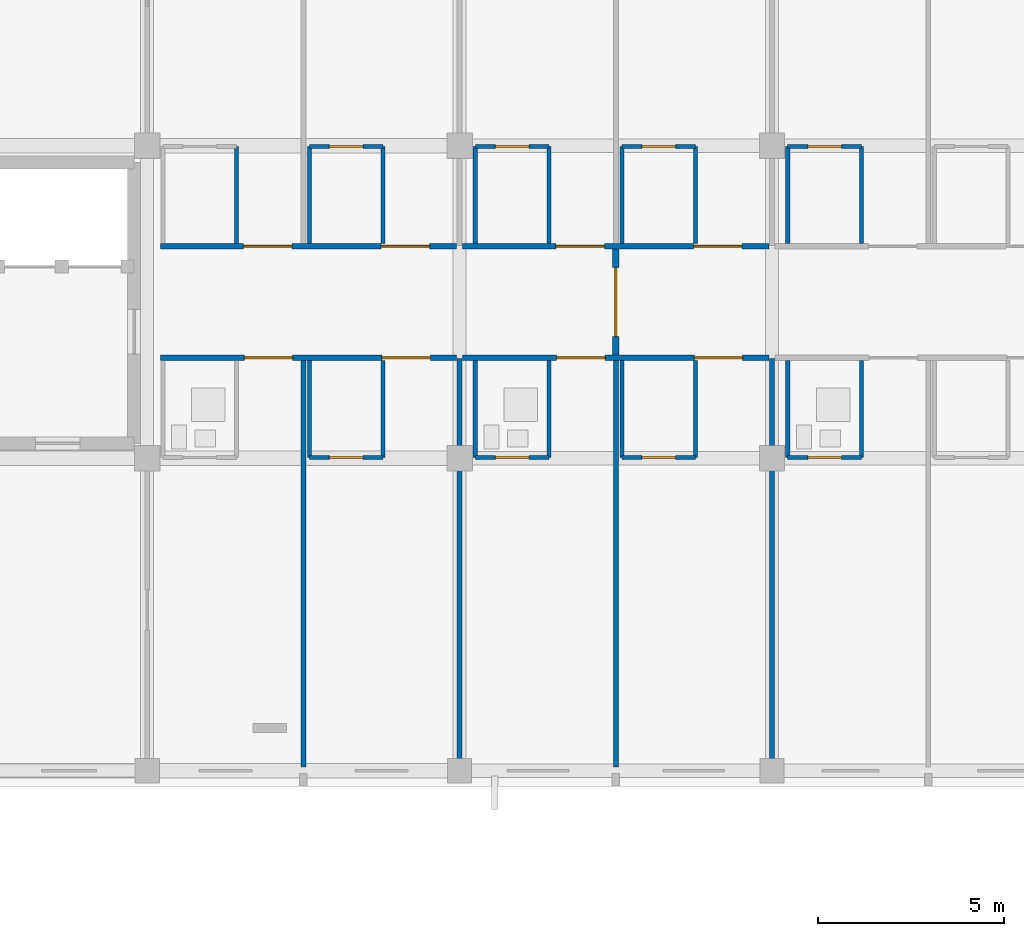
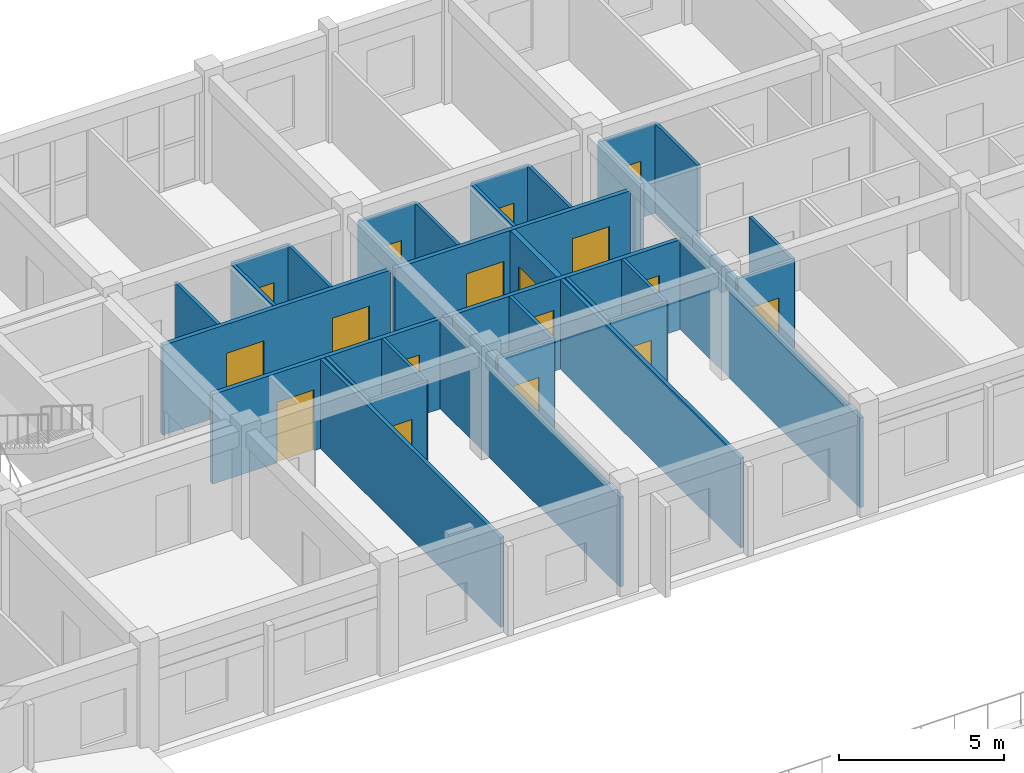
# One storey, part 74 of 90: 34 walls, 17 doors, 17 openings.
"""IFC4 building model written with IfcOpenShell, lengths in metres."""

from ifc_helpers import new_model, si_unit, direction, frame, frame_2d, origin, place, context, subcontext, project, spatial, rectangle, extrude, material, layer, layer_set, type_object, element, fill, save


model = new_model("IFC4")

# Units and contexts
model_context = context("Model", 3, precision=1e-05, world=origin(), true_north=direction((0.0, 1.0)))
body_context = subcontext(model_context, "Body", "Model", "MODEL_VIEW")
ifc_project = project(units=[si_unit("LENGTHUNIT", "METRE"), si_unit("AREAUNIT", "SQUARE_METRE"), si_unit("VOLUMEUNIT", "CUBIC_METRE"), si_unit("PLANEANGLEUNIT", "RADIAN"), si_unit("MASSUNIT", "GRAM", prefix="KILO")], contexts=[model_context])

# Site, building, storey
site_placement = place(None, origin())
site = spatial("IfcSite", under=ifc_project, at=site_placement, CompositionType="ELEMENT")
building_placement = place(site_placement, origin())
building = spatial("IfcBuilding", under=site, at=building_placement, Name="Trelvath General Hospital", CompositionType="ELEMENT")
storey_placement = place(building_placement, frame((0.0, 0.0, 20.39990234375)))
storey = spatial("IfcBuildingStorey", under=building, at=storey_placement, Name="L05", CompositionType="ELEMENT", Elevation=20.39990234375)

# Wall, openings, doors
ifc_material_1 = material(Name="Gypsum acoustic steel-stud partition", Category="steel")
ifc_layer_1 = layer(ifc_material_1, 0.14990234375)
ifc_layer_set_1 = layer_set([ifc_layer_1], Name="Gypsum acoustic steel-stud partition")
wall_type_1 = type_object("IfcWallType", Name="ClinicalPartition 150", PredefinedType="PARTITIONING", material=ifc_layer_set_1)
wall_1_placement = place(storey_placement, frame((92.760009765625, 103.5, 0.0), z_axis=(0.0, 0.0, 1.0), x_axis=(1.0, 0.0, 0.0)))
wall_1 = element("IfcWall", 1, at=wall_1_placement, inside=storey, type_object=wall_type_1, Name="Corridor Partition L05-1950", PredefinedType="PARTITIONING", context=body_context, shape_type="SweptSolid", body=[
    extrude(rectangle(XDim=7.9599609375, YDim=0.14990234375, at=frame_2d((3.97998046875, 0.0))), origin(), (0.0, 0.0, 1.0), 3.320068359375),
])
opening_1_placement = place(wall_1_placement, frame((2.25, 0.0, 0.0)))
opening_1 = element("IfcOpeningElement", 2, at=opening_1_placement, cuts=wall_1, Name="Opening D-5-1268", PredefinedType="OPENING", context=body_context, shape_type="SweptSolid", body=[
    extrude(rectangle(XDim=1.300048828125, YDim=2.25, at=frame_2d((0.64990234375, 1.125))), frame((0.0, 0.0849609375, 0.0), z_axis=(0.0, -1.0, 0.0), x_axis=(1.0, 0.0, 0.0)), (0.0, 0.0, 1.0), 0.169921875),
])
opening_2_placement = place(wall_1_placement, frame((5.949951171875, 0.0, 0.0)))
opening_2 = element("IfcOpeningElement", 3, at=opening_2_placement, cuts=wall_1, Name="Opening D-5-1269", PredefinedType="OPENING", context=body_context, shape_type="SweptSolid", body=[
    extrude(rectangle(XDim=1.300048828125, YDim=2.25, at=frame_2d((0.64990234375, 1.125))), frame((0.0, 0.0849609375, 0.0), z_axis=(0.0, -1.0, 0.0), x_axis=(1.0, 0.0, 0.0)), (0.0, 0.0, 1.0), 0.169921875),
])
ifc_material_2 = material(Name="Hospital bed-leaf timber door", Category="wood")
door_type_1 = type_object("IfcDoorType", Name="Door PatientBed 1300x2250", OperationType="NOTDEFINED", PredefinedType="DOOR", material=ifc_material_2)
door_1_placement = place(opening_1_placement, origin())
door_1 = element("IfcDoor", 4, at=door_1_placement, inside=storey, type_object=door_type_1, Name="Patient Room Door L05-1268", OperationType="SINGLE_SWING_RIGHT", OverallHeight=2.25, OverallWidth=1.300048828125, PredefinedType="DOOR", context=body_context, shape_type="SweptSolid", body=[
    extrude(rectangle(XDim=1.300048828125, YDim=2.25, at=frame_2d((0.64990234375, 1.125))), frame((0.0, 0.02490234375, 0.0), z_axis=(0.0, -1.0, 0.0), x_axis=(1.0, 0.0, 0.0)), (0.0, 0.0, 1.0), 0.050048828125),
])
fill(opening_1, door_1)
door_2_placement = place(opening_2_placement, origin())
door_2 = element("IfcDoor", 5, at=door_2_placement, inside=storey, type_object=door_type_1, Name="Patient Room Door L05-1269", OperationType="SINGLE_SWING_LEFT", OverallHeight=2.25, OverallWidth=1.300048828125, PredefinedType="DOOR", context=body_context, shape_type="SweptSolid", body=[
    extrude(rectangle(XDim=1.300048828125, YDim=2.25, at=frame_2d((0.64990234375, 1.125))), frame((0.0, 0.02490234375, 0.0), z_axis=(0.0, -1.0, 0.0), x_axis=(1.0, 0.0, 0.0)), (0.0, 0.0, 1.0), 0.050048828125),
])
fill(opening_2, door_2)

wall_2_placement = place(storey_placement, frame((100.719970703125, 106.5, 0.0), z_axis=(0.0, 0.0, 1.0), x_axis=(-1.0, 0.0, 0.0)))
wall_2 = element("IfcWall", 6, at=wall_2_placement, inside=storey, type_object=wall_type_1, Name="Corridor Partition N L05-1959", PredefinedType="PARTITIONING", context=body_context, shape_type="SweptSolid", body=[
    extrude(rectangle(XDim=7.9599609375, YDim=0.14990234375, at=frame_2d((3.97998046875, 0.0))), origin(), (0.0, 0.0, 1.0), 3.320068359375),
])
opening_3_placement = place(wall_2_placement, frame((0.72998046875, 0.0, 0.0)))
opening_3 = element("IfcOpeningElement", 7, at=opening_3_placement, cuts=wall_2, Name="Opening D-5-1272", PredefinedType="OPENING", context=body_context, shape_type="SweptSolid", body=[
    extrude(rectangle(XDim=1.300048828125, YDim=2.25, at=frame_2d((0.64990234375, 1.125))), frame((0.0, 0.0849609375, 0.0), z_axis=(0.0, -1.0, 0.0), x_axis=(1.0, 0.0, 0.0)), (0.0, 0.0, 1.0), 0.169921875),
])
opening_4_placement = place(wall_2_placement, frame((4.429931640625, 0.0, 0.0)))
opening_4 = element("IfcOpeningElement", 8, at=opening_4_placement, cuts=wall_2, Name="Opening D-5-1273", PredefinedType="OPENING", context=body_context, shape_type="SweptSolid", body=[
    extrude(rectangle(XDim=1.300048828125, YDim=2.25, at=frame_2d((0.64990234375, 1.125))), frame((0.0, 0.0849609375, 0.0), z_axis=(0.0, -1.0, 0.0), x_axis=(1.0, 0.0, 0.0)), (0.0, 0.0, 1.0), 0.169921875),
])
door_3_placement = place(opening_3_placement, origin())
door_3 = element("IfcDoor", 9, at=door_3_placement, inside=storey, type_object=door_type_1, Name="Patient Room Door N L05-1272", OperationType="SINGLE_SWING_RIGHT", OverallHeight=2.25, OverallWidth=1.300048828125, PredefinedType="DOOR", context=body_context, shape_type="SweptSolid", body=[
    extrude(rectangle(XDim=1.300048828125, YDim=2.25, at=frame_2d((0.64990234375, 1.125))), frame((0.0, 0.02490234375, 0.0), z_axis=(0.0, -1.0, 0.0), x_axis=(1.0, 0.0, 0.0)), (0.0, 0.0, 1.0), 0.050048828125),
])
fill(opening_3, door_3)
door_4_placement = place(opening_4_placement, origin())
door_4 = element("IfcDoor", 10, at=door_4_placement, inside=storey, type_object=door_type_1, Name="Patient Room Door N L05-1273", OperationType="SINGLE_SWING_RIGHT", OverallHeight=2.25, OverallWidth=1.300048828125, PredefinedType="DOOR", context=body_context, shape_type="SweptSolid", body=[
    extrude(rectangle(XDim=1.300048828125, YDim=2.25, at=frame_2d((0.64990234375, 1.125))), frame((0.0, 0.02490234375, 0.0), z_axis=(0.0, -1.0, 0.0), x_axis=(1.0, 0.0, 0.0)), (0.0, 0.0, 1.0), 0.050048828125),
])
fill(opening_4, door_4)

wall_3_placement = place(storey_placement, frame((100.8798828125, 103.5, 0.0), z_axis=(0.0, 0.0, 1.0), x_axis=(1.0, 0.0, 0.0)))
wall_3 = element("IfcWall", 11, at=wall_3_placement, inside=storey, type_object=wall_type_1, Name="Corridor Partition L05-1969", PredefinedType="PARTITIONING", context=body_context, shape_type="SweptSolid", body=[
    extrude(rectangle(XDim=8.240234375, YDim=0.14990234375, at=frame_2d((4.1201171875, 0.0))), origin(), (0.0, 0.0, 1.0), 3.320068359375),
])
opening_5_placement = place(wall_3_placement, frame((2.530029296875, 0.0, 0.0)))
opening_5 = element("IfcOpeningElement", 12, at=opening_5_placement, cuts=wall_3, Name="Opening D-5-1276", PredefinedType="OPENING", context=body_context, shape_type="SweptSolid", body=[
    extrude(rectangle(XDim=1.300048828125, YDim=2.25, at=frame_2d((0.64990234375, 1.125))), frame((0.0, 0.0849609375, 0.0), z_axis=(0.0, -1.0, 0.0), x_axis=(1.0, 0.0, 0.0)), (0.0, 0.0, 1.0), 0.169921875),
])
opening_6_placement = place(wall_3_placement, frame((6.22998046875, 0.0, 0.0)))
opening_6 = element("IfcOpeningElement", 13, at=opening_6_placement, cuts=wall_3, Name="Opening D-5-1277", PredefinedType="OPENING", context=body_context, shape_type="SweptSolid", body=[
    extrude(rectangle(XDim=1.300048828125, YDim=2.25, at=frame_2d((0.64990234375, 1.125))), frame((0.0, 0.0849609375, 0.0), z_axis=(0.0, -1.0, 0.0), x_axis=(1.0, 0.0, 0.0)), (0.0, 0.0, 1.0), 0.169921875),
])
door_5_placement = place(opening_5_placement, origin())
door_5 = element("IfcDoor", 14, at=door_5_placement, inside=storey, type_object=door_type_1, Name="Patient Room Door L05-1276", OperationType="SINGLE_SWING_LEFT", OverallHeight=2.25, OverallWidth=1.300048828125, PredefinedType="DOOR", context=body_context, shape_type="SweptSolid", body=[
    extrude(rectangle(XDim=1.300048828125, YDim=2.25, at=frame_2d((0.64990234375, 1.125))), frame((0.0, 0.02490234375, 0.0), z_axis=(0.0, -1.0, 0.0), x_axis=(1.0, 0.0, 0.0)), (0.0, 0.0, 1.0), 0.050048828125),
])
fill(opening_5, door_5)
door_6_placement = place(opening_6_placement, origin())
door_6 = element("IfcDoor", 15, at=door_6_placement, inside=storey, type_object=door_type_1, Name="Patient Room Door L05-1277", OperationType="SINGLE_SWING_RIGHT", OverallHeight=2.25, OverallWidth=1.300048828125, PredefinedType="DOOR", context=body_context, shape_type="SweptSolid", body=[
    extrude(rectangle(XDim=1.300048828125, YDim=2.25, at=frame_2d((0.64990234375, 1.125))), frame((0.0, 0.02490234375, 0.0), z_axis=(0.0, -1.0, 0.0), x_axis=(1.0, 0.0, 0.0)), (0.0, 0.0, 1.0), 0.050048828125),
])
fill(opening_6, door_6)

wall_4_placement = place(storey_placement, frame((109.1201171875, 106.5, 0.0), z_axis=(0.0, 0.0, 1.0), x_axis=(-1.0, 0.0, 0.0)))
wall_4 = element("IfcWall", 16, at=wall_4_placement, inside=storey, type_object=wall_type_1, Name="Corridor Partition N L05-1977", PredefinedType="PARTITIONING", context=body_context, shape_type="SweptSolid", body=[
    extrude(rectangle(XDim=8.240234375, YDim=0.14990234375, at=frame_2d((4.1201171875, 0.0))), origin(), (0.0, 0.0, 1.0), 3.320068359375),
])
opening_7_placement = place(wall_4_placement, frame((0.72998046875, 0.0, 0.0)))
opening_7 = element("IfcOpeningElement", 17, at=opening_7_placement, cuts=wall_4, Name="Opening D-5-1280", PredefinedType="OPENING", context=body_context, shape_type="SweptSolid", body=[
    extrude(rectangle(XDim=1.300048828125, YDim=2.25, at=frame_2d((0.64990234375, 1.125))), frame((0.0, 0.0849609375, 0.0), z_axis=(0.0, -1.0, 0.0), x_axis=(1.0, 0.0, 0.0)), (0.0, 0.0, 1.0), 0.169921875),
])
opening_8_placement = place(wall_4_placement, frame((4.429931640625, 0.0, 0.0)))
opening_8 = element("IfcOpeningElement", 18, at=opening_8_placement, cuts=wall_4, Name="Opening D-5-1281", PredefinedType="OPENING", context=body_context, shape_type="SweptSolid", body=[
    extrude(rectangle(XDim=1.300048828125, YDim=2.25, at=frame_2d((0.64990234375, 1.125))), frame((0.0, 0.0849609375, 0.0), z_axis=(0.0, -1.0, 0.0), x_axis=(1.0, 0.0, 0.0)), (0.0, 0.0, 1.0), 0.169921875),
])
door_7_placement = place(opening_7_placement, origin())
door_7 = element("IfcDoor", 19, at=door_7_placement, inside=storey, type_object=door_type_1, Name="Patient Room Door N L05-1280", OperationType="SINGLE_SWING_LEFT", OverallHeight=2.25, OverallWidth=1.300048828125, PredefinedType="DOOR", context=body_context, shape_type="SweptSolid", body=[
    extrude(rectangle(XDim=1.300048828125, YDim=2.25, at=frame_2d((0.64990234375, 1.125))), frame((0.0, 0.02490234375, 0.0), z_axis=(0.0, -1.0, 0.0), x_axis=(1.0, 0.0, 0.0)), (0.0, 0.0, 1.0), 0.050048828125),
])
fill(opening_7, door_7)
door_8_placement = place(opening_8_placement, origin())
door_8 = element("IfcDoor", 20, at=door_8_placement, inside=storey, type_object=door_type_1, Name="Patient Room Door N L05-1281", OperationType="SINGLE_SWING_LEFT", OverallHeight=2.25, OverallWidth=1.300048828125, PredefinedType="DOOR", context=body_context, shape_type="SweptSolid", body=[
    extrude(rectangle(XDim=1.300048828125, YDim=2.25, at=frame_2d((0.64990234375, 1.125))), frame((0.0, 0.02490234375, 0.0), z_axis=(0.0, -1.0, 0.0), x_axis=(1.0, 0.0, 0.0)), (0.0, 0.0, 1.0), 0.050048828125),
])
fill(opening_8, door_8)

# Walls
ifc_material_3 = material(Name="Moisture-resistant tile partition")
ifc_layer_2 = layer(ifc_material_3, 0.110107421875)
ifc_layer_set_2 = layer_set([ifc_layer_2], Name="Moisture-resistant tile partition")
wall_type_2 = type_object("IfcWallType", Name="EnSuiteWetWall 110", PredefinedType="PARTITIONING", material=ifc_layer_set_2)
for number, where, z_axis, x_axis, name in (
    (21, (96.760009765625, 100.820068359375, 0.0), (0.0, 0.0, 1.0), (0.0, 1.0, 0.0), "En-Suite W Wall L05-1955"),
    (22, (98.739990234375, 100.820068359375, 0.0), (0.0, 0.0, 1.0), (0.0, 1.0, 0.0), "En-Suite E Wall L05-1956"),
):
    element("IfcWall", number, at=place(storey_placement, frame(where, z_axis=z_axis, x_axis=x_axis)), inside=storey, type_object=wall_type_2, Name=name, PredefinedType="PARTITIONING", context=body_context, shape_type="SweptSolid", body=[
        extrude(rectangle(XDim=2.60986328125, YDim=0.110107421875, at=frame_2d((1.304931640625, 0.0))), origin(), (0.0, 0.0, 1.0), 3.320068359375),
    ])

# Wall, opening, door
wall_5_placement = place(storey_placement, frame((96.760009765625, 100.820068359375, 0.0), z_axis=(0.0, 0.0, 1.0), x_axis=(1.0, 0.0, 0.0)))
wall_5 = element("IfcWall", 23, at=wall_5_placement, inside=storey, type_object=wall_type_2, Name="En-Suite Bathroom Partition L05-1957", PredefinedType="PARTITIONING", context=body_context, shape_type="SweptSolid", body=[
    extrude(rectangle(XDim=1.97998046875, YDim=0.110107421875, at=frame_2d((0.989990234375, 0.0))), origin(), (0.0, 0.0, 1.0), 3.320068359375),
])
opening_9_placement = place(wall_5_placement, frame((0.5400390625, 0.0, 0.0)))
opening_9 = element("IfcOpeningElement", 24, at=opening_9_placement, cuts=wall_5, Name="Opening D-5-1271", PredefinedType="OPENING", context=body_context, shape_type="SweptSolid", body=[
    extrude(rectangle(XDim=0.89990234375, YDim=2.10009765625, at=frame_2d((0.449951171875, 1.050048828125))), frame((0.0, 0.06494140625, 0.0), z_axis=(0.0, -1.0, 0.0), x_axis=(1.0, 0.0, 0.0)), (0.0, 0.0, 1.0), 0.130126953125),
])
ifc_material_4 = material(Name="Moisture-sealed timber leaf", Category="wood")
door_type_2 = type_object("IfcDoorType", Name="Door EnSuite 900x2100", OperationType="NOTDEFINED", PredefinedType="DOOR", material=ifc_material_4)
door_9_placement = place(opening_9_placement, origin())
door_9 = element("IfcDoor", 25, at=door_9_placement, inside=storey, type_object=door_type_2, Name="En-Suite Bathroom Door L05-1271", OperationType="SINGLE_SWING_LEFT", OverallHeight=2.10009765625, OverallWidth=0.89990234375, PredefinedType="DOOR", context=body_context, shape_type="SweptSolid", body=[
    extrude(rectangle(XDim=0.89990234375, YDim=2.10009765625, at=frame_2d((0.449951171875, 1.050048828125))), frame((0.0, 0.02490234375, 0.0), z_axis=(0.0, -1.0, 0.0), x_axis=(1.0, 0.0, 0.0)), (0.0, 0.0, 1.0), 0.050048828125),
])
fill(opening_9, door_9)

# Walls
for number, where, z_axis, x_axis, name in (
    (26, (94.800048828125, 106.570068359375, 0.0), (0.0, 0.0, 1.0), (0.0, 1.0, 0.0), "En-Suite E Wall N L05-1962"),
    (27, (96.760009765625, 106.570068359375, 0.0), (0.0, 0.0, 1.0), (0.0, 1.0, 0.0), "En-Suite W Wall N L05-1964"),
    (28, (98.739990234375, 106.570068359375, 0.0), (0.0, 0.0, 1.0), (0.0, 1.0, 0.0), "En-Suite E Wall N L05-1965"),
):
    element("IfcWall", number, at=place(storey_placement, frame(where, z_axis=z_axis, x_axis=x_axis)), inside=storey, type_object=wall_type_2, Name=name, PredefinedType="PARTITIONING", context=body_context, shape_type="SweptSolid", body=[
        extrude(rectangle(XDim=2.60986328125, YDim=0.110107421875, at=frame_2d((1.304931640625, 0.0))), origin(), (0.0, 0.0, 1.0), 3.320068359375),
    ])

# Wall, opening, door
wall_6_placement = place(storey_placement, frame((96.760009765625, 109.179931640625, 0.0), z_axis=(0.0, 0.0, 1.0), x_axis=(1.0, 0.0, 0.0)))
wall_6 = element("IfcWall", 29, at=wall_6_placement, inside=storey, type_object=wall_type_2, Name="En-Suite Bathroom N Partition L05-1966", PredefinedType="PARTITIONING", context=body_context, shape_type="SweptSolid", body=[
    extrude(rectangle(XDim=1.97998046875, YDim=0.110107421875, at=frame_2d((0.989990234375, 0.0))), origin(), (0.0, 0.0, 1.0), 3.320068359375),
])
opening_10_placement = place(wall_6_placement, frame((0.5400390625, 0.0, 0.0)))
opening_10 = element("IfcOpeningElement", 30, at=opening_10_placement, cuts=wall_6, Name="Opening D-5-1275", PredefinedType="OPENING", context=body_context, shape_type="SweptSolid", body=[
    extrude(rectangle(XDim=0.89990234375, YDim=2.10009765625, at=frame_2d((0.449951171875, 1.050048828125))), frame((0.0, 0.06494140625, 0.0), z_axis=(0.0, -1.0, 0.0), x_axis=(1.0, 0.0, 0.0)), (0.0, 0.0, 1.0), 0.130126953125),
])
door_10_placement = place(opening_10_placement, origin())
door_10 = element("IfcDoor", 31, at=door_10_placement, inside=storey, type_object=door_type_2, Name="En-Suite Bathroom N Door L05-1275", OperationType="SINGLE_SWING_RIGHT", OverallHeight=2.10009765625, OverallWidth=0.89990234375, PredefinedType="DOOR", context=body_context, shape_type="SweptSolid", body=[
    extrude(rectangle(XDim=0.89990234375, YDim=2.10009765625, at=frame_2d((0.449951171875, 1.050048828125))), frame((0.0, 0.02490234375, 0.0), z_axis=(0.0, -1.0, 0.0), x_axis=(1.0, 0.0, 0.0)), (0.0, 0.0, 1.0), 0.050048828125),
])
fill(opening_10, door_10)

# Walls
for number, where, z_axis, x_axis, name in (
    (32, (101.219970703125, 100.820068359375, 0.0), (0.0, 0.0, 1.0), (0.0, 1.0, 0.0), "En-Suite W Wall L05-1971"),
    (33, (103.199951171875, 100.820068359375, 0.0), (0.0, 0.0, 1.0), (0.0, 1.0, 0.0), "En-Suite E Wall L05-1972"),
):
    element("IfcWall", number, at=place(storey_placement, frame(where, z_axis=z_axis, x_axis=x_axis)), inside=storey, type_object=wall_type_2, Name=name, PredefinedType="PARTITIONING", context=body_context, shape_type="SweptSolid", body=[
        extrude(rectangle(XDim=2.60986328125, YDim=0.110107421875, at=frame_2d((1.304931640625, 0.0))), origin(), (0.0, 0.0, 1.0), 3.320068359375),
    ])

# Wall, opening, door
wall_7_placement = place(storey_placement, frame((101.219970703125, 100.820068359375, 0.0), z_axis=(0.0, 0.0, 1.0), x_axis=(1.0, 0.0, 0.0)))
wall_7 = element("IfcWall", 34, at=wall_7_placement, inside=storey, type_object=wall_type_2, Name="En-Suite Bathroom Partition L05-1973", PredefinedType="PARTITIONING", context=body_context, shape_type="SweptSolid", body=[
    extrude(rectangle(XDim=1.97998046875, YDim=0.110107421875, at=frame_2d((0.989990234375, 0.0))), origin(), (0.0, 0.0, 1.0), 3.320068359375),
])
opening_11_placement = place(wall_7_placement, frame((0.5400390625, 0.0, 0.0)))
opening_11 = element("IfcOpeningElement", 35, at=opening_11_placement, cuts=wall_7, Name="Opening D-5-1278", PredefinedType="OPENING", context=body_context, shape_type="SweptSolid", body=[
    extrude(rectangle(XDim=0.89990234375, YDim=2.10009765625, at=frame_2d((0.449951171875, 1.050048828125))), frame((0.0, 0.06494140625, 0.0), z_axis=(0.0, -1.0, 0.0), x_axis=(1.0, 0.0, 0.0)), (0.0, 0.0, 1.0), 0.130126953125),
])
door_11_placement = place(opening_11_placement, origin())
door_11 = element("IfcDoor", 36, at=door_11_placement, inside=storey, type_object=door_type_2, Name="En-Suite Bathroom Door L05-1278", OperationType="SINGLE_SWING_LEFT", OverallHeight=2.10009765625, OverallWidth=0.89990234375, PredefinedType="DOOR", context=body_context, shape_type="SweptSolid", body=[
    extrude(rectangle(XDim=0.89990234375, YDim=2.10009765625, at=frame_2d((0.449951171875, 1.050048828125))), frame((0.0, 0.02490234375, 0.0), z_axis=(0.0, -1.0, 0.0), x_axis=(1.0, 0.0, 0.0)), (0.0, 0.0, 1.0), 0.050048828125),
])
fill(opening_11, door_11)

# Walls
for number, where, z_axis, x_axis, name in (
    (37, (105.159912109375, 100.820068359375, 0.0), (0.0, 0.0, 1.0), (0.0, 1.0, 0.0), "En-Suite W Wall L05-1974"),
    (38, (107.139892578125, 100.820068359375, 0.0), (0.0, 0.0, 1.0), (0.0, 1.0, 0.0), "En-Suite E Wall L05-1975"),
):
    element("IfcWall", number, at=place(storey_placement, frame(where, z_axis=z_axis, x_axis=x_axis)), inside=storey, type_object=wall_type_2, Name=name, PredefinedType="PARTITIONING", context=body_context, shape_type="SweptSolid", body=[
        extrude(rectangle(XDim=2.60986328125, YDim=0.110107421875, at=frame_2d((1.304931640625, 0.0))), origin(), (0.0, 0.0, 1.0), 3.320068359375),
    ])

# Wall, opening, door
wall_8_placement = place(storey_placement, frame((105.159912109375, 100.820068359375, 0.0), z_axis=(0.0, 0.0, 1.0), x_axis=(1.0, 0.0, 0.0)))
wall_8 = element("IfcWall", 39, at=wall_8_placement, inside=storey, type_object=wall_type_2, Name="En-Suite Bathroom Partition L05-1976", PredefinedType="PARTITIONING", context=body_context, shape_type="SweptSolid", body=[
    extrude(rectangle(XDim=1.97998046875, YDim=0.110107421875, at=frame_2d((0.989990234375, 0.0))), origin(), (0.0, 0.0, 1.0), 3.320068359375),
])
opening_12_placement = place(wall_8_placement, frame((0.5400390625, 0.0, 0.0)))
opening_12 = element("IfcOpeningElement", 40, at=opening_12_placement, cuts=wall_8, Name="Opening D-5-1279", PredefinedType="OPENING", context=body_context, shape_type="SweptSolid", body=[
    extrude(rectangle(XDim=0.89990234375, YDim=2.10009765625, at=frame_2d((0.449951171875, 1.050048828125))), frame((0.0, 0.06494140625, 0.0), z_axis=(0.0, -1.0, 0.0), x_axis=(1.0, 0.0, 0.0)), (0.0, 0.0, 1.0), 0.130126953125),
])
door_12_placement = place(opening_12_placement, origin())
door_12 = element("IfcDoor", 41, at=door_12_placement, inside=storey, type_object=door_type_2, Name="En-Suite Bathroom Door L05-1279", OperationType="SINGLE_SWING_RIGHT", OverallHeight=2.10009765625, OverallWidth=0.89990234375, PredefinedType="DOOR", context=body_context, shape_type="SweptSolid", body=[
    extrude(rectangle(XDim=0.89990234375, YDim=2.10009765625, at=frame_2d((0.449951171875, 1.050048828125))), frame((0.0, 0.02490234375, 0.0), z_axis=(0.0, -1.0, 0.0), x_axis=(1.0, 0.0, 0.0)), (0.0, 0.0, 1.0), 0.050048828125),
])
fill(opening_12, door_12)

# Walls
for number, where, z_axis, x_axis, name in (
    (42, (101.219970703125, 106.570068359375, 0.0), (0.0, 0.0, 1.0), (0.0, 1.0, 0.0), "En-Suite W Wall N L05-1979"),
    (43, (103.199951171875, 106.570068359375, 0.0), (0.0, 0.0, 1.0), (0.0, 1.0, 0.0), "En-Suite E Wall N L05-1980"),
):
    element("IfcWall", number, at=place(storey_placement, frame(where, z_axis=z_axis, x_axis=x_axis)), inside=storey, type_object=wall_type_2, Name=name, PredefinedType="PARTITIONING", context=body_context, shape_type="SweptSolid", body=[
        extrude(rectangle(XDim=2.60986328125, YDim=0.110107421875, at=frame_2d((1.304931640625, 0.0))), origin(), (0.0, 0.0, 1.0), 3.320068359375),
    ])

# Wall, opening, door
wall_9_placement = place(storey_placement, frame((101.219970703125, 109.179931640625, 0.0), z_axis=(0.0, 0.0, 1.0), x_axis=(1.0, 0.0, 0.0)))
wall_9 = element("IfcWall", 44, at=wall_9_placement, inside=storey, type_object=wall_type_2, Name="En-Suite Bathroom N Partition L05-1981", PredefinedType="PARTITIONING", context=body_context, shape_type="SweptSolid", body=[
    extrude(rectangle(XDim=1.97998046875, YDim=0.110107421875, at=frame_2d((0.989990234375, 0.0))), origin(), (0.0, 0.0, 1.0), 3.320068359375),
])
opening_13_placement = place(wall_9_placement, frame((0.5400390625, 0.0, 0.0)))
opening_13 = element("IfcOpeningElement", 45, at=opening_13_placement, cuts=wall_9, Name="Opening D-5-1282", PredefinedType="OPENING", context=body_context, shape_type="SweptSolid", body=[
    extrude(rectangle(XDim=0.89990234375, YDim=2.10009765625, at=frame_2d((0.449951171875, 1.050048828125))), frame((0.0, 0.06494140625, 0.0), z_axis=(0.0, -1.0, 0.0), x_axis=(1.0, 0.0, 0.0)), (0.0, 0.0, 1.0), 0.130126953125),
])
door_13_placement = place(opening_13_placement, origin())
door_13 = element("IfcDoor", 46, at=door_13_placement, inside=storey, type_object=door_type_2, Name="En-Suite Bathroom N Door L05-1282", OperationType="SINGLE_SWING_RIGHT", OverallHeight=2.10009765625, OverallWidth=0.89990234375, PredefinedType="DOOR", context=body_context, shape_type="SweptSolid", body=[
    extrude(rectangle(XDim=0.89990234375, YDim=2.10009765625, at=frame_2d((0.449951171875, 1.050048828125))), frame((0.0, 0.02490234375, 0.0), z_axis=(0.0, -1.0, 0.0), x_axis=(1.0, 0.0, 0.0)), (0.0, 0.0, 1.0), 0.050048828125),
])
fill(opening_13, door_13)

# Walls
for number, where, z_axis, x_axis, name in (
    (47, (105.159912109375, 106.570068359375, 0.0), (0.0, 0.0, 1.0), (0.0, 1.0, 0.0), "En-Suite W Wall N L05-1982"),
    (48, (107.139892578125, 106.570068359375, 0.0), (0.0, 0.0, 1.0), (0.0, 1.0, 0.0), "En-Suite E Wall N L05-1983"),
):
    element("IfcWall", number, at=place(storey_placement, frame(where, z_axis=z_axis, x_axis=x_axis)), inside=storey, type_object=wall_type_2, Name=name, PredefinedType="PARTITIONING", context=body_context, shape_type="SweptSolid", body=[
        extrude(rectangle(XDim=2.60986328125, YDim=0.110107421875, at=frame_2d((1.304931640625, 0.0))), origin(), (0.0, 0.0, 1.0), 3.320068359375),
    ])

# Wall, opening, door
wall_10_placement = place(storey_placement, frame((105.159912109375, 109.179931640625, 0.0), z_axis=(0.0, 0.0, 1.0), x_axis=(1.0, 0.0, 0.0)))
wall_10 = element("IfcWall", 49, at=wall_10_placement, inside=storey, type_object=wall_type_2, Name="En-Suite Bathroom N Partition L05-1984", PredefinedType="PARTITIONING", context=body_context, shape_type="SweptSolid", body=[
    extrude(rectangle(XDim=1.97998046875, YDim=0.110107421875, at=frame_2d((0.989990234375, 0.0))), origin(), (0.0, 0.0, 1.0), 3.320068359375),
])
opening_14_placement = place(wall_10_placement, frame((0.5400390625, 0.0, 0.0)))
opening_14 = element("IfcOpeningElement", 50, at=opening_14_placement, cuts=wall_10, Name="Opening D-5-1283", PredefinedType="OPENING", context=body_context, shape_type="SweptSolid", body=[
    extrude(rectangle(XDim=0.89990234375, YDim=2.10009765625, at=frame_2d((0.449951171875, 1.050048828125))), frame((0.0, 0.06494140625, 0.0), z_axis=(0.0, -1.0, 0.0), x_axis=(1.0, 0.0, 0.0)), (0.0, 0.0, 1.0), 0.130126953125),
])
door_14_placement = place(opening_14_placement, origin())
door_14 = element("IfcDoor", 51, at=door_14_placement, inside=storey, type_object=door_type_2, Name="En-Suite Bathroom N Door L05-1283", OperationType="SINGLE_SWING_LEFT", OverallHeight=2.10009765625, OverallWidth=0.89990234375, PredefinedType="DOOR", context=body_context, shape_type="SweptSolid", body=[
    extrude(rectangle(XDim=0.89990234375, YDim=2.10009765625, at=frame_2d((0.449951171875, 1.050048828125))), frame((0.0, 0.02490234375, 0.0), z_axis=(0.0, -1.0, 0.0), x_axis=(1.0, 0.0, 0.0)), (0.0, 0.0, 1.0), 0.050048828125),
])
fill(opening_14, door_14)

# Walls
for number, where, z_axis, x_axis, name in (
    (52, (109.6201171875, 100.820068359375, 0.0), (0.0, 0.0, 1.0), (0.0, 1.0, 0.0), "En-Suite W Wall L05-1990"),
    (53, (111.60009765625, 100.820068359375, 0.0), (0.0, 0.0, 1.0), (0.0, 1.0, 0.0), "En-Suite E Wall L05-1991"),
):
    element("IfcWall", number, at=place(storey_placement, frame(where, z_axis=z_axis, x_axis=x_axis)), inside=storey, type_object=wall_type_2, Name=name, PredefinedType="PARTITIONING", context=body_context, shape_type="SweptSolid", body=[
        extrude(rectangle(XDim=2.60986328125, YDim=0.110107421875, at=frame_2d((1.304931640625, 0.0))), origin(), (0.0, 0.0, 1.0), 3.320068359375),
    ])

# Wall, opening, door
wall_11_placement = place(storey_placement, frame((109.6201171875, 100.820068359375, 0.0), z_axis=(0.0, 0.0, 1.0), x_axis=(1.0, 0.0, 0.0)))
wall_11 = element("IfcWall", 54, at=wall_11_placement, inside=storey, type_object=wall_type_2, Name="En-Suite Bathroom Partition L05-1992", PredefinedType="PARTITIONING", context=body_context, shape_type="SweptSolid", body=[
    extrude(rectangle(XDim=1.97998046875, YDim=0.110107421875, at=frame_2d((0.989990234375, 0.0))), origin(), (0.0, 0.0, 1.0), 3.320068359375),
])
opening_15_placement = place(wall_11_placement, frame((0.5400390625, 0.0, 0.0)))
opening_15 = element("IfcOpeningElement", 55, at=opening_15_placement, cuts=wall_11, Name="Opening D-5-1287", PredefinedType="OPENING", context=body_context, shape_type="SweptSolid", body=[
    extrude(rectangle(XDim=0.89990234375, YDim=2.10009765625, at=frame_2d((0.449951171875, 1.050048828125))), frame((0.0, 0.06494140625, 0.0), z_axis=(0.0, -1.0, 0.0), x_axis=(1.0, 0.0, 0.0)), (0.0, 0.0, 1.0), 0.130126953125),
])
door_15_placement = place(opening_15_placement, origin())
door_15 = element("IfcDoor", 56, at=door_15_placement, inside=storey, type_object=door_type_2, Name="En-Suite Bathroom Door L05-1287", OperationType="SINGLE_SWING_RIGHT", OverallHeight=2.10009765625, OverallWidth=0.89990234375, PredefinedType="DOOR", context=body_context, shape_type="SweptSolid", body=[
    extrude(rectangle(XDim=0.89990234375, YDim=2.10009765625, at=frame_2d((0.449951171875, 1.050048828125))), frame((0.0, 0.02490234375, 0.0), z_axis=(0.0, -1.0, 0.0), x_axis=(1.0, 0.0, 0.0)), (0.0, 0.0, 1.0), 0.050048828125),
])
fill(opening_15, door_15)

# Walls
for number, where, z_axis, x_axis, name in (
    (57, (109.6201171875, 106.570068359375, 0.0), (0.0, 0.0, 1.0), (0.0, 1.0, 0.0), "En-Suite W Wall N L05-1998"),
    (58, (111.60009765625, 106.570068359375, 0.0), (0.0, 0.0, 1.0), (0.0, 1.0, 0.0), "En-Suite E Wall N L05-1999"),
):
    element("IfcWall", number, at=place(storey_placement, frame(where, z_axis=z_axis, x_axis=x_axis)), inside=storey, type_object=wall_type_2, Name=name, PredefinedType="PARTITIONING", context=body_context, shape_type="SweptSolid", body=[
        extrude(rectangle(XDim=2.60986328125, YDim=0.110107421875, at=frame_2d((1.304931640625, 0.0))), origin(), (0.0, 0.0, 1.0), 3.320068359375),
    ])

# Wall, opening, door
wall_12_placement = place(storey_placement, frame((109.6201171875, 109.179931640625, 0.0), z_axis=(0.0, 0.0, 1.0), x_axis=(1.0, 0.0, 0.0)))
wall_12 = element("IfcWall", 59, at=wall_12_placement, inside=storey, type_object=wall_type_2, Name="En-Suite Bathroom N Partition L05-2000", PredefinedType="PARTITIONING", context=body_context, shape_type="SweptSolid", body=[
    extrude(rectangle(XDim=1.97998046875, YDim=0.110107421875, at=frame_2d((0.989990234375, 0.0))), origin(), (0.0, 0.0, 1.0), 3.320068359375),
])
opening_16_placement = place(wall_12_placement, frame((0.5400390625, 0.0, 0.0)))
opening_16 = element("IfcOpeningElement", 60, at=opening_16_placement, cuts=wall_12, Name="Opening D-5-1291", PredefinedType="OPENING", context=body_context, shape_type="SweptSolid", body=[
    extrude(rectangle(XDim=0.89990234375, YDim=2.10009765625, at=frame_2d((0.449951171875, 1.050048828125))), frame((0.0, 0.06494140625, 0.0), z_axis=(0.0, -1.0, 0.0), x_axis=(1.0, 0.0, 0.0)), (0.0, 0.0, 1.0), 0.130126953125),
])
door_16_placement = place(opening_16_placement, origin())
door_16 = element("IfcDoor", 61, at=door_16_placement, inside=storey, type_object=door_type_2, Name="En-Suite Bathroom N Door L05-1291", OperationType="SINGLE_SWING_LEFT", OverallHeight=2.10009765625, OverallWidth=0.89990234375, PredefinedType="DOOR", context=body_context, shape_type="SweptSolid", body=[
    extrude(rectangle(XDim=0.89990234375, YDim=2.10009765625, at=frame_2d((0.449951171875, 1.050048828125))), frame((0.0, 0.02490234375, 0.0), z_axis=(0.0, -1.0, 0.0), x_axis=(1.0, 0.0, 0.0)), (0.0, 0.0, 1.0), 0.050048828125),
])
fill(opening_16, door_16)

ifc_material_5 = material(Name="Masonry fire blockwork", Category="masonry")
ifc_layer_3 = layer(ifc_material_5, 0.179931640625)
ifc_layer_set_3 = layer_set([ifc_layer_3], Name="Masonry fire blockwork")
wall_type_3 = type_object("IfcWallType", Name="SmokeBarrierWall 180", PredefinedType="PARTITIONING", material=ifc_layer_set_3)
wall_13_placement = place(storey_placement, frame((105.0, 103.580078125, 0.0), z_axis=(0.0, 0.0, 1.0), x_axis=(0.0, 1.0, 0.0)))
wall_13 = element("IfcWall", 62, at=wall_13_placement, inside=storey, type_object=wall_type_3, Name="Smoke Compartment Barrier L05-1985", PredefinedType="PARTITIONING", context=body_context, shape_type="SweptSolid", body=[
    extrude(rectangle(XDim=2.83984375, YDim=0.179931640625, at=frame_2d((1.419921875, 0.0))), origin(), (0.0, 0.0, 1.0), 3.320068359375),
])
opening_17_placement = place(wall_13_placement, frame((0.4951171875, 0.0, 0.0)))
opening_17 = element("IfcOpeningElement", 63, at=opening_17_placement, cuts=wall_13, Name="Opening SD-5-1284", PredefinedType="OPENING", context=body_context, shape_type="SweptSolid", body=[
    extrude(rectangle(XDim=1.85009765625, YDim=2.300048828125, at=frame_2d((0.925048828125, 1.14990234375))), frame((0.0, 0.099853515625, 0.0), z_axis=(0.0, -1.0, 0.0), x_axis=(1.0, 0.0, 0.0)), (0.0, 0.0, 1.0), 0.199951171875),
])
ifc_material_6 = material(Name="Fire-rated steel cross-corridor pair", Category="steel")
door_type_3 = type_object("IfcDoorType", Name="Door SmokeCross 1850x2300", OperationType="DOUBLE_SWING_LEFT", PredefinedType="DOOR", material=ifc_material_6)
door_17_placement = place(opening_17_placement, origin())
door_17 = element("IfcDoor", 64, at=door_17_placement, inside=storey, type_object=door_type_3, Name="Cross-Corridor Smoke Door L05-1284", OperationType="SLIDING_TO_LEFT", OverallHeight=2.300048828125, OverallWidth=1.85009765625, PredefinedType="DOOR", context=body_context, shape_type="SweptSolid", body=[
    extrude(rectangle(XDim=1.85009765625, YDim=2.300048828125, at=frame_2d((0.925048828125, 1.14990234375))), frame((0.0, 0.02490234375, 0.0), z_axis=(0.0, -1.0, 0.0), x_axis=(1.0, 0.0, 0.0)), (0.0, 0.0, 1.0), 0.050048828125),
])
fill(opening_17, door_17)

# Walls
ifc_material_7 = material(Name="Gypsum acoustic steel-stud partition", Category="steel")
ifc_layer_4 = layer(ifc_material_7, 0.1298828125)
ifc_layer_set_4 = layer_set([ifc_layer_4], Name="Gypsum acoustic steel-stud partition")
wall_type_4 = type_object("IfcWallType", Name="WardPartition 130", PredefinedType="PARTITIONING", material=ifc_layer_set_4)
wall_14_placement = place(storey_placement, frame((96.60009765625, 92.5, 0.0), z_axis=(0.0, 0.0, 1.0), x_axis=(0.0, 1.0, 0.0)))
element("IfcWall", 65, at=wall_14_placement, inside=storey, type_object=wall_type_4, Name="Room Dividing Partition S L05-1951", PredefinedType="PARTITIONING", context=body_context, shape_type="SweptSolid", body=[
    extrude(rectangle(XDim=10.929931640625, YDim=0.1298828125, at=frame_2d((5.46484375, 0.0))), origin(), (0.0, 0.0, 1.0), 3.320068359375),
])
wall_15_placement = place(storey_placement, frame((100.800048828125, 92.5400390625, 0.0), z_axis=(0.0, 0.0, 1.0), x_axis=(0.0, 1.0, 0.0)))
element("IfcWall", 66, at=wall_15_placement, inside=storey, type_object=wall_type_4, Name="Inter-Bay Ward Partition S L05-1967", PredefinedType="PARTITIONING", context=body_context, shape_type="SweptSolid", body=[
    extrude(rectangle(XDim=10.93994140625, YDim=0.1298828125, at=frame_2d((5.469970703125, 0.0))), origin(), (0.0, 0.0, 1.0), 3.320068359375),
])
wall_16_placement = place(storey_placement, frame((105.0, 92.5, 0.0), z_axis=(0.0, 0.0, 1.0), x_axis=(0.0, 1.0, 0.0)))
element("IfcWall", 67, at=wall_16_placement, inside=storey, type_object=wall_type_4, Name="Room Dividing Partition S L05-1970", PredefinedType="PARTITIONING", context=body_context, shape_type="SweptSolid", body=[
    extrude(rectangle(XDim=10.929931640625, YDim=0.1298828125, at=frame_2d((5.46484375, 0.0))), origin(), (0.0, 0.0, 1.0), 3.320068359375),
])
wall_17_placement = place(storey_placement, frame((109.199951171875, 92.5400390625, 0.0), z_axis=(0.0, 0.0, 1.0), x_axis=(0.0, 1.0, 0.0)))
element("IfcWall", 68, at=wall_17_placement, inside=storey, type_object=wall_type_4, Name="Inter-Bay Ward Partition S L05-1986", PredefinedType="PARTITIONING", context=body_context, shape_type="SweptSolid", body=[
    extrude(rectangle(XDim=10.93994140625, YDim=0.1298828125, at=frame_2d((5.469970703125, 0.0))), origin(), (0.0, 0.0, 1.0), 3.320068359375),
])

save(model, "model.ifc")
